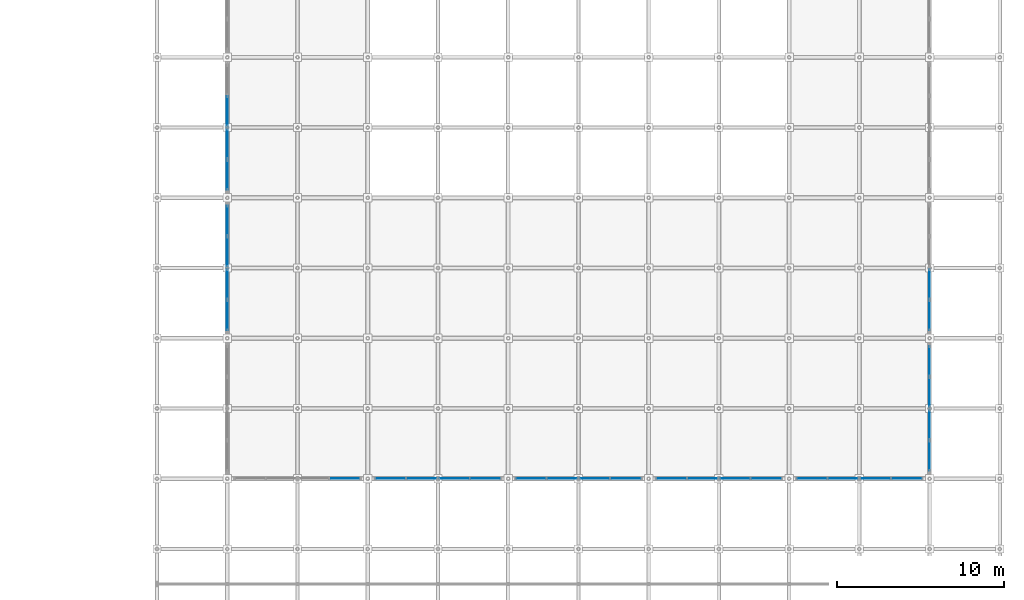
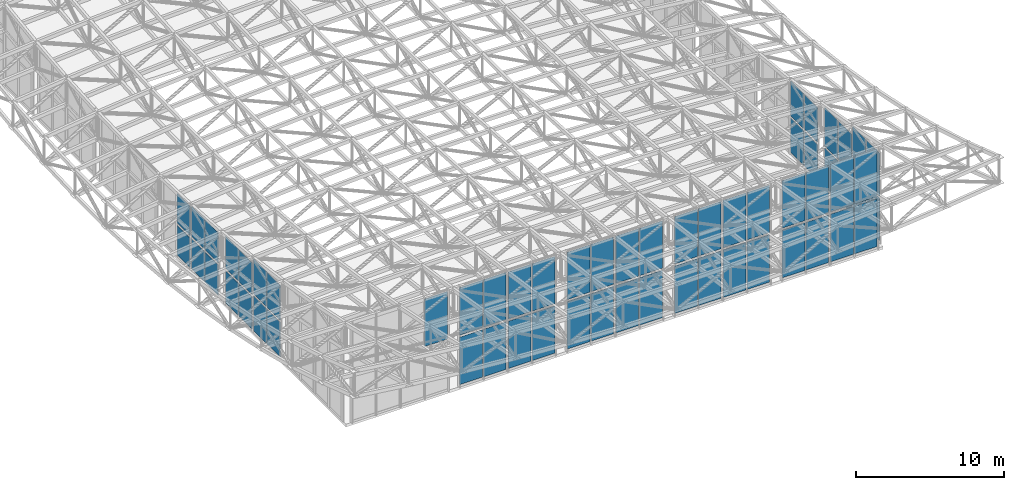
# One storey, part 69 of 123: 59 plates, 16 elements without a shape of their own.
"""IFC4 building model written with IfcOpenShell, lengths in metres."""

from ifc_helpers import new_model, si_unit, direction, frame, origin, origin_2d, place, context, subcontext, project, spatial, rectangle, extrude, material, layer, layer_set, type_object, element, aggregate, save


model = new_model("IFC4")

# Units and contexts
model_context = context("Model", 3, precision=1e-05, world=origin(), true_north=direction((0.0, 1.0)))
body_context = subcontext(model_context, "Body", "Model", "MODEL_VIEW")
ifc_project = project(units=[si_unit("LENGTHUNIT", "METRE"), si_unit("AREAUNIT", "SQUARE_METRE"), si_unit("VOLUMEUNIT", "CUBIC_METRE"), si_unit("PLANEANGLEUNIT", "RADIAN"), si_unit("MASSUNIT", "GRAM", prefix="KILO")], contexts=[model_context])

# Site, building, storey
site_placement = place(None, origin())
site = spatial("IfcSite", under=ifc_project, at=site_placement, CompositionType="ELEMENT")
building_placement = place(site_placement, origin())
building = spatial("IfcBuilding", under=site, at=building_placement, Name="Cumbredor Promenade Congress Hotel", CompositionType="ELEMENT")
storey_placement = place(building_placement, frame((0.0, 0.0, 11.760009765625)))
storey = spatial("IfcBuildingStorey", under=building, at=storey_placement, Name="L03", CompositionType="ELEMENT", Elevation=11.760009765625)

# Curtain wall, plate
ifc_material_1 = material(Name="Thermally broken anodized aluminium and low-E glass", Category="aluminium")
curtain_wall_type = type_object("IfcCurtainWallType", Name="Stepped Pavilion Clerestory Curtain Wall CW-06", PredefinedType="NOTDEFINED", material=ifc_material_1)
curtain_wall_1_placement = place(storey_placement, origin())
curtain_wall_1 = element("IfcCurtainWall", 1, at=curtain_wall_1_placement, inside=storey, type_object=curtain_wall_type, Name="Grand Ballroom Pavilion S Glazed Clerestory 2", PredefinedType="NOTDEFINED")
ifc_material_2 = material(Name="Laminated low-E solar-control glass", Category="glass")
ifc_layer = layer(ifc_material_2, 0.031982421875, Name="Laminated low-E solar-control glass", Category="glass")
ifc_layer_set = layer_set([ifc_layer], Name="Laminated low-E solar-control glass")
plate_type = type_object("IfcPlateType", Name="Clerestory Glazed Vision Panel PNL-07", PredefinedType="CURTAIN_PANEL", material=ifc_layer_set)
plate_1_placement = place(storey_placement, frame((149.830078125, 8.39990234375, 4.280029296875), z_axis=(0.0, 0.0, 1.0), x_axis=(1.0, 0.0, 0.0)))
plate_1 = element("IfcPlate", 2, at=plate_1_placement, type_object=plate_type, Name="Grand Ballroom Pavilion S Glazed Clerestory 2 Glazing Panel 2.2", PredefinedType="CURTAIN_PANEL", context=body_context, shape_type="SweptSolid", body=[
    extrude(rectangle(XDim=1.77490234375, YDim=0.031982421875, at=origin_2d()), origin(), (0.0, 0.0, 1.0), 3.919921875),
])
aggregate(curtain_wall_1, [plate_1])

# Curtain wall, plates
curtain_wall_2_placement = place(storey_placement, origin())
curtain_wall_2 = element("IfcCurtainWall", 3, at=curtain_wall_2_placement, inside=storey, type_object=curtain_wall_type, Name="Grand Ballroom Pavilion S Glazed Clerestory 3", PredefinedType="NOTDEFINED")
plate_2_placement = place(storey_placement, frame((152.570068359375, 8.39990234375, 0.169921875), z_axis=(0.0, 0.0, 1.0), x_axis=(1.0, 0.0, 0.0)))
plate_2 = element("IfcPlate", 4, at=plate_2_placement, type_object=plate_type, Name="Grand Ballroom Pavilion S Glazed Clerestory 3 Glazing Panel 1.1", PredefinedType="CURTAIN_PANEL", context=body_context, shape_type="SweptSolid", body=[
    extrude(rectangle(XDim=1.77490234375, YDim=0.031982421875, at=origin_2d()), origin(), (0.0, 0.0, 1.0), 3.919921875),
])
plate_3_placement = place(storey_placement, frame((152.570068359375, 8.39990234375, 4.27001953125), z_axis=(0.0, 0.0, 1.0), x_axis=(1.0, 0.0, 0.0)))
plate_3 = element("IfcPlate", 5, at=plate_3_placement, type_object=plate_type, Name="Grand Ballroom Pavilion S Glazed Clerestory 3 Glazing Panel 1.2", PredefinedType="CURTAIN_PANEL", context=body_context, shape_type="SweptSolid", body=[
    extrude(rectangle(XDim=1.77490234375, YDim=0.031982421875, at=origin_2d()), origin(), (0.0, 0.0, 1.0), 3.909912109375),
])
plate_4_placement = place(storey_placement, frame((154.429931640625, 8.39990234375, 0.169921875), z_axis=(0.0, 0.0, 1.0), x_axis=(1.0, 0.0, 0.0)))
plate_4 = element("IfcPlate", 6, at=plate_4_placement, type_object=plate_type, Name="Grand Ballroom Pavilion S Glazed Clerestory 3 Glazing Panel 2.1", PredefinedType="CURTAIN_PANEL", context=body_context, shape_type="SweptSolid", body=[
    extrude(rectangle(XDim=1.77490234375, YDim=0.031982421875, at=origin_2d()), origin(), (0.0, 0.0, 1.0), 3.919921875),
])
plate_5_placement = place(storey_placement, frame((154.429931640625, 8.39990234375, 4.27001953125), z_axis=(0.0, 0.0, 1.0), x_axis=(1.0, 0.0, 0.0)))
plate_5 = element("IfcPlate", 7, at=plate_5_placement, type_object=plate_type, Name="Grand Ballroom Pavilion S Glazed Clerestory 3 Glazing Panel 2.2", PredefinedType="CURTAIN_PANEL", context=body_context, shape_type="SweptSolid", body=[
    extrude(rectangle(XDim=1.77490234375, YDim=0.031982421875, at=origin_2d()), origin(), (0.0, 0.0, 1.0), 3.909912109375),
])
aggregate(curtain_wall_2, [plate_2, plate_3, plate_4, plate_5])

curtain_wall_3_placement = place(storey_placement, origin())
curtain_wall_3 = element("IfcCurtainWall", 8, at=curtain_wall_3_placement, inside=storey, type_object=curtain_wall_type, Name="Grand Ballroom Pavilion S Glazed Clerestory 4", PredefinedType="NOTDEFINED")
plate_6_placement = place(storey_placement, frame((156.3701171875, 8.39990234375, 0.169921875), z_axis=(0.0, 0.0, 1.0), x_axis=(1.0, 0.0, 0.0)))
plate_6 = element("IfcPlate", 9, at=plate_6_placement, type_object=plate_type, Name="Grand Ballroom Pavilion S Glazed Clerestory 4 Glazing Panel 1.1", PredefinedType="CURTAIN_PANEL", context=body_context, shape_type="SweptSolid", body=[
    extrude(rectangle(XDim=1.77490234375, YDim=0.031982421875, at=origin_2d()), origin(), (0.0, 0.0, 1.0), 3.909912109375),
])
plate_7_placement = place(storey_placement, frame((156.3701171875, 8.39990234375, 4.260009765625), z_axis=(0.0, 0.0, 1.0), x_axis=(1.0, 0.0, 0.0)))
plate_7 = element("IfcPlate", 10, at=plate_7_placement, type_object=plate_type, Name="Grand Ballroom Pavilion S Glazed Clerestory 4 Glazing Panel 1.2", PredefinedType="CURTAIN_PANEL", context=body_context, shape_type="SweptSolid", body=[
    extrude(rectangle(XDim=1.77490234375, YDim=0.031982421875, at=origin_2d()), origin(), (0.0, 0.0, 1.0), 3.89990234375),
])
plate_8_placement = place(storey_placement, frame((158.22998046875, 8.39990234375, 0.169921875), z_axis=(0.0, 0.0, 1.0), x_axis=(1.0, 0.0, 0.0)))
plate_8 = element("IfcPlate", 11, at=plate_8_placement, type_object=plate_type, Name="Grand Ballroom Pavilion S Glazed Clerestory 4 Glazing Panel 2.1", PredefinedType="CURTAIN_PANEL", context=body_context, shape_type="SweptSolid", body=[
    extrude(rectangle(XDim=1.77490234375, YDim=0.031982421875, at=origin_2d()), origin(), (0.0, 0.0, 1.0), 3.909912109375),
])
plate_9_placement = place(storey_placement, frame((158.22998046875, 8.39990234375, 4.260009765625), z_axis=(0.0, 0.0, 1.0), x_axis=(1.0, 0.0, 0.0)))
plate_9 = element("IfcPlate", 12, at=plate_9_placement, type_object=plate_type, Name="Grand Ballroom Pavilion S Glazed Clerestory 4 Glazing Panel 2.2", PredefinedType="CURTAIN_PANEL", context=body_context, shape_type="SweptSolid", body=[
    extrude(rectangle(XDim=1.77490234375, YDim=0.031982421875, at=origin_2d()), origin(), (0.0, 0.0, 1.0), 3.89990234375),
])
aggregate(curtain_wall_3, [plate_6, plate_7, plate_8, plate_9])

curtain_wall_4_placement = place(storey_placement, origin())
curtain_wall_4 = element("IfcCurtainWall", 13, at=curtain_wall_4_placement, inside=storey, type_object=curtain_wall_type, Name="Grand Ballroom Pavilion S Glazed Clerestory 5", PredefinedType="NOTDEFINED")
plate_10_placement = place(storey_placement, frame((160.969970703125, 8.39990234375, 0.169921875), z_axis=(0.0, 0.0, 1.0), x_axis=(1.0, 0.0, 0.0)))
plate_10 = element("IfcPlate", 14, at=plate_10_placement, type_object=plate_type, Name="Grand Ballroom Pavilion S Glazed Clerestory 5 Glazing Panel 1.1", PredefinedType="CURTAIN_PANEL", context=body_context, shape_type="SweptSolid", body=[
    extrude(rectangle(XDim=1.77490234375, YDim=0.031982421875, at=origin_2d()), origin(), (0.0, 0.0, 1.0), 3.909912109375),
])
plate_11_placement = place(storey_placement, frame((160.969970703125, 8.39990234375, 4.260009765625), z_axis=(0.0, 0.0, 1.0), x_axis=(1.0, 0.0, 0.0)))
plate_11 = element("IfcPlate", 15, at=plate_11_placement, type_object=plate_type, Name="Grand Ballroom Pavilion S Glazed Clerestory 5 Glazing Panel 1.2", PredefinedType="CURTAIN_PANEL", context=body_context, shape_type="SweptSolid", body=[
    extrude(rectangle(XDim=1.77490234375, YDim=0.031982421875, at=origin_2d()), origin(), (0.0, 0.0, 1.0), 3.89990234375),
])
plate_12_placement = place(storey_placement, frame((162.830078125, 8.39990234375, 0.169921875), z_axis=(0.0, 0.0, 1.0), x_axis=(1.0, 0.0, 0.0)))
plate_12 = element("IfcPlate", 16, at=plate_12_placement, type_object=plate_type, Name="Grand Ballroom Pavilion S Glazed Clerestory 5 Glazing Panel 2.1", PredefinedType="CURTAIN_PANEL", context=body_context, shape_type="SweptSolid", body=[
    extrude(rectangle(XDim=1.77490234375, YDim=0.031982421875, at=origin_2d()), origin(), (0.0, 0.0, 1.0), 3.909912109375),
])
plate_13_placement = place(storey_placement, frame((162.830078125, 8.39990234375, 4.260009765625), z_axis=(0.0, 0.0, 1.0), x_axis=(1.0, 0.0, 0.0)))
plate_13 = element("IfcPlate", 17, at=plate_13_placement, type_object=plate_type, Name="Grand Ballroom Pavilion S Glazed Clerestory 5 Glazing Panel 2.2", PredefinedType="CURTAIN_PANEL", context=body_context, shape_type="SweptSolid", body=[
    extrude(rectangle(XDim=1.77490234375, YDim=0.031982421875, at=origin_2d()), origin(), (0.0, 0.0, 1.0), 3.89990234375),
])
aggregate(curtain_wall_4, [plate_10, plate_11, plate_12, plate_13])

curtain_wall_5_placement = place(storey_placement, origin())
curtain_wall_5 = element("IfcCurtainWall", 18, at=curtain_wall_5_placement, inside=storey, type_object=curtain_wall_type, Name="Grand Ballroom Pavilion S Glazed Clerestory 6", PredefinedType="NOTDEFINED")
plate_14_placement = place(storey_placement, frame((164.77001953125, 8.39990234375, 0.169921875), z_axis=(0.0, 0.0, 1.0), x_axis=(1.0, 0.0, 0.0)))
plate_14 = element("IfcPlate", 19, at=plate_14_placement, type_object=plate_type, Name="Grand Ballroom Pavilion S Glazed Clerestory 6 Glazing Panel 1.1", PredefinedType="CURTAIN_PANEL", context=body_context, shape_type="SweptSolid", body=[
    extrude(rectangle(XDim=1.77490234375, YDim=0.031982421875, at=origin_2d()), origin(), (0.0, 0.0, 1.0), 3.909912109375),
])
plate_15_placement = place(storey_placement, frame((164.77001953125, 8.39990234375, 4.260009765625), z_axis=(0.0, 0.0, 1.0), x_axis=(1.0, 0.0, 0.0)))
plate_15 = element("IfcPlate", 20, at=plate_15_placement, type_object=plate_type, Name="Grand Ballroom Pavilion S Glazed Clerestory 6 Glazing Panel 1.2", PredefinedType="CURTAIN_PANEL", context=body_context, shape_type="SweptSolid", body=[
    extrude(rectangle(XDim=1.77490234375, YDim=0.031982421875, at=origin_2d()), origin(), (0.0, 0.0, 1.0), 3.89990234375),
])
plate_16_placement = place(storey_placement, frame((166.6298828125, 8.39990234375, 0.169921875), z_axis=(0.0, 0.0, 1.0), x_axis=(1.0, 0.0, 0.0)))
plate_16 = element("IfcPlate", 21, at=plate_16_placement, type_object=plate_type, Name="Grand Ballroom Pavilion S Glazed Clerestory 6 Glazing Panel 2.1", PredefinedType="CURTAIN_PANEL", context=body_context, shape_type="SweptSolid", body=[
    extrude(rectangle(XDim=1.77490234375, YDim=0.031982421875, at=origin_2d()), origin(), (0.0, 0.0, 1.0), 3.909912109375),
])
plate_17_placement = place(storey_placement, frame((166.6298828125, 8.39990234375, 4.260009765625), z_axis=(0.0, 0.0, 1.0), x_axis=(1.0, 0.0, 0.0)))
plate_17 = element("IfcPlate", 22, at=plate_17_placement, type_object=plate_type, Name="Grand Ballroom Pavilion S Glazed Clerestory 6 Glazing Panel 2.2", PredefinedType="CURTAIN_PANEL", context=body_context, shape_type="SweptSolid", body=[
    extrude(rectangle(XDim=1.77490234375, YDim=0.031982421875, at=origin_2d()), origin(), (0.0, 0.0, 1.0), 3.89990234375),
])
aggregate(curtain_wall_5, [plate_14, plate_15, plate_16, plate_17])

curtain_wall_6_placement = place(storey_placement, origin())
curtain_wall_6 = element("IfcCurtainWall", 23, at=curtain_wall_6_placement, inside=storey, type_object=curtain_wall_type, Name="Grand Ballroom Pavilion S Glazed Clerestory 7", PredefinedType="NOTDEFINED")
plate_18_placement = place(storey_placement, frame((169.3701171875, 8.39990234375, 0.169921875), z_axis=(0.0, 0.0, 1.0), x_axis=(1.0, 0.0, 0.0)))
plate_18 = element("IfcPlate", 24, at=plate_18_placement, type_object=plate_type, Name="Grand Ballroom Pavilion S Glazed Clerestory 7 Glazing Panel 1.1", PredefinedType="CURTAIN_PANEL", context=body_context, shape_type="SweptSolid", body=[
    extrude(rectangle(XDim=1.77490234375, YDim=0.031982421875, at=origin_2d()), origin(), (0.0, 0.0, 1.0), 3.909912109375),
])
plate_19_placement = place(storey_placement, frame((169.3701171875, 8.39990234375, 4.260009765625), z_axis=(0.0, 0.0, 1.0), x_axis=(1.0, 0.0, 0.0)))
plate_19 = element("IfcPlate", 25, at=plate_19_placement, type_object=plate_type, Name="Grand Ballroom Pavilion S Glazed Clerestory 7 Glazing Panel 1.2", PredefinedType="CURTAIN_PANEL", context=body_context, shape_type="SweptSolid", body=[
    extrude(rectangle(XDim=1.77490234375, YDim=0.031982421875, at=origin_2d()), origin(), (0.0, 0.0, 1.0), 3.89990234375),
])
plate_20_placement = place(storey_placement, frame((171.22998046875, 8.39990234375, 0.169921875), z_axis=(0.0, 0.0, 1.0), x_axis=(1.0, 0.0, 0.0)))
plate_20 = element("IfcPlate", 26, at=plate_20_placement, type_object=plate_type, Name="Grand Ballroom Pavilion S Glazed Clerestory 7 Glazing Panel 2.1", PredefinedType="CURTAIN_PANEL", context=body_context, shape_type="SweptSolid", body=[
    extrude(rectangle(XDim=1.77490234375, YDim=0.031982421875, at=origin_2d()), origin(), (0.0, 0.0, 1.0), 3.909912109375),
])
plate_21_placement = place(storey_placement, frame((171.22998046875, 8.39990234375, 4.260009765625), z_axis=(0.0, 0.0, 1.0), x_axis=(1.0, 0.0, 0.0)))
plate_21 = element("IfcPlate", 27, at=plate_21_placement, type_object=plate_type, Name="Grand Ballroom Pavilion S Glazed Clerestory 7 Glazing Panel 2.2", PredefinedType="CURTAIN_PANEL", context=body_context, shape_type="SweptSolid", body=[
    extrude(rectangle(XDim=1.77490234375, YDim=0.031982421875, at=origin_2d()), origin(), (0.0, 0.0, 1.0), 3.89990234375),
])
aggregate(curtain_wall_6, [plate_18, plate_19, plate_20, plate_21])

curtain_wall_7_placement = place(storey_placement, origin())
curtain_wall_7 = element("IfcCurtainWall", 28, at=curtain_wall_7_placement, inside=storey, type_object=curtain_wall_type, Name="Grand Ballroom Pavilion S Glazed Clerestory 8", PredefinedType="NOTDEFINED")
plate_22_placement = place(storey_placement, frame((173.169921875, 8.39990234375, 0.169921875), z_axis=(0.0, 0.0, 1.0), x_axis=(1.0, 0.0, 0.0)))
plate_22 = element("IfcPlate", 29, at=plate_22_placement, type_object=plate_type, Name="Grand Ballroom Pavilion S Glazed Clerestory 8 Glazing Panel 1.1", PredefinedType="CURTAIN_PANEL", context=body_context, shape_type="SweptSolid", body=[
    extrude(rectangle(XDim=1.77490234375, YDim=0.031982421875, at=origin_2d()), origin(), (0.0, 0.0, 1.0), 3.919921875),
])
plate_23_placement = place(storey_placement, frame((173.169921875, 8.39990234375, 4.27001953125), z_axis=(0.0, 0.0, 1.0), x_axis=(1.0, 0.0, 0.0)))
plate_23 = element("IfcPlate", 30, at=plate_23_placement, type_object=plate_type, Name="Grand Ballroom Pavilion S Glazed Clerestory 8 Glazing Panel 1.2", PredefinedType="CURTAIN_PANEL", context=body_context, shape_type="SweptSolid", body=[
    extrude(rectangle(XDim=1.77490234375, YDim=0.031982421875, at=origin_2d()), origin(), (0.0, 0.0, 1.0), 3.909912109375),
])
plate_24_placement = place(storey_placement, frame((175.030029296875, 8.39990234375, 0.169921875), z_axis=(0.0, 0.0, 1.0), x_axis=(1.0, 0.0, 0.0)))
plate_24 = element("IfcPlate", 31, at=plate_24_placement, type_object=plate_type, Name="Grand Ballroom Pavilion S Glazed Clerestory 8 Glazing Panel 2.1", PredefinedType="CURTAIN_PANEL", context=body_context, shape_type="SweptSolid", body=[
    extrude(rectangle(XDim=1.77490234375, YDim=0.031982421875, at=origin_2d()), origin(), (0.0, 0.0, 1.0), 3.919921875),
])
plate_25_placement = place(storey_placement, frame((175.030029296875, 8.39990234375, 4.27001953125), z_axis=(0.0, 0.0, 1.0), x_axis=(1.0, 0.0, 0.0)))
plate_25 = element("IfcPlate", 32, at=plate_25_placement, type_object=plate_type, Name="Grand Ballroom Pavilion S Glazed Clerestory 8 Glazing Panel 2.2", PredefinedType="CURTAIN_PANEL", context=body_context, shape_type="SweptSolid", body=[
    extrude(rectangle(XDim=1.77490234375, YDim=0.031982421875, at=origin_2d()), origin(), (0.0, 0.0, 1.0), 3.909912109375),
])
aggregate(curtain_wall_7, [plate_22, plate_23, plate_24, plate_25])

curtain_wall_8_placement = place(storey_placement, origin())
curtain_wall_8 = element("IfcCurtainWall", 33, at=curtain_wall_8_placement, inside=storey, type_object=curtain_wall_type, Name="Grand Ballroom Pavilion S Glazed Clerestory 9", PredefinedType="NOTDEFINED")
plate_26_placement = place(storey_placement, frame((177.77001953125, 8.39990234375, 0.169921875), z_axis=(0.0, 0.0, 1.0), x_axis=(1.0, 0.0, 0.0)))
plate_26 = element("IfcPlate", 34, at=plate_26_placement, type_object=plate_type, Name="Grand Ballroom Pavilion S Glazed Clerestory 9 Glazing Panel 1.1", PredefinedType="CURTAIN_PANEL", context=body_context, shape_type="SweptSolid", body=[
    extrude(rectangle(XDim=1.77490234375, YDim=0.031982421875, at=origin_2d()), origin(), (0.0, 0.0, 1.0), 3.929931640625),
])
plate_27_placement = place(storey_placement, frame((177.77001953125, 8.39990234375, 4.280029296875), z_axis=(0.0, 0.0, 1.0), x_axis=(1.0, 0.0, 0.0)))
plate_27 = element("IfcPlate", 35, at=plate_27_placement, type_object=plate_type, Name="Grand Ballroom Pavilion S Glazed Clerestory 9 Glazing Panel 1.2", PredefinedType="CURTAIN_PANEL", context=body_context, shape_type="SweptSolid", body=[
    extrude(rectangle(XDim=1.77490234375, YDim=0.031982421875, at=origin_2d()), origin(), (0.0, 0.0, 1.0), 3.919921875),
])
plate_28_placement = place(storey_placement, frame((179.6298828125, 8.39990234375, 0.169921875), z_axis=(0.0, 0.0, 1.0), x_axis=(1.0, 0.0, 0.0)))
plate_28 = element("IfcPlate", 36, at=plate_28_placement, type_object=plate_type, Name="Grand Ballroom Pavilion S Glazed Clerestory 9 Glazing Panel 2.1", PredefinedType="CURTAIN_PANEL", context=body_context, shape_type="SweptSolid", body=[
    extrude(rectangle(XDim=1.77490234375, YDim=0.031982421875, at=origin_2d()), origin(), (0.0, 0.0, 1.0), 3.929931640625),
])
plate_29_placement = place(storey_placement, frame((179.6298828125, 8.39990234375, 4.280029296875), z_axis=(0.0, 0.0, 1.0), x_axis=(1.0, 0.0, 0.0)))
plate_29 = element("IfcPlate", 37, at=plate_29_placement, type_object=plate_type, Name="Grand Ballroom Pavilion S Glazed Clerestory 9 Glazing Panel 2.2", PredefinedType="CURTAIN_PANEL", context=body_context, shape_type="SweptSolid", body=[
    extrude(rectangle(XDim=1.77490234375, YDim=0.031982421875, at=origin_2d()), origin(), (0.0, 0.0, 1.0), 3.919921875),
])
aggregate(curtain_wall_8, [plate_26, plate_27, plate_28, plate_29])

curtain_wall_9_placement = place(storey_placement, origin())
curtain_wall_9 = element("IfcCurtainWall", 38, at=curtain_wall_9_placement, inside=storey, type_object=curtain_wall_type, Name="Grand Ballroom Pavilion S Glazed Clerestory 10", PredefinedType="NOTDEFINED")
plate_30_placement = place(storey_placement, frame((181.570068359375, 8.39990234375, 0.169921875), z_axis=(0.0, 0.0, 1.0), x_axis=(1.0, 0.0, 0.0)))
plate_30 = element("IfcPlate", 39, at=plate_30_placement, type_object=plate_type, Name="Grand Ballroom Pavilion S Glazed Clerestory 10 Glazing Panel 1.1", PredefinedType="CURTAIN_PANEL", context=body_context, shape_type="SweptSolid", body=[
    extrude(rectangle(XDim=1.77490234375, YDim=0.031982421875, at=origin_2d()), origin(), (0.0, 0.0, 1.0), 3.93994140625),
])
plate_31_placement = place(storey_placement, frame((181.570068359375, 8.39990234375, 4.2900390625), z_axis=(0.0, 0.0, 1.0), x_axis=(1.0, 0.0, 0.0)))
plate_31 = element("IfcPlate", 40, at=plate_31_placement, type_object=plate_type, Name="Grand Ballroom Pavilion S Glazed Clerestory 10 Glazing Panel 1.2", PredefinedType="CURTAIN_PANEL", context=body_context, shape_type="SweptSolid", body=[
    extrude(rectangle(XDim=1.77490234375, YDim=0.031982421875, at=origin_2d()), origin(), (0.0, 0.0, 1.0), 3.949951171875),
])
plate_32_placement = place(storey_placement, frame((183.429931640625, 8.39990234375, 0.169921875), z_axis=(0.0, 0.0, 1.0), x_axis=(1.0, 0.0, 0.0)))
plate_32 = element("IfcPlate", 41, at=plate_32_placement, type_object=plate_type, Name="Grand Ballroom Pavilion S Glazed Clerestory 10 Glazing Panel 2.1", PredefinedType="CURTAIN_PANEL", context=body_context, shape_type="SweptSolid", body=[
    extrude(rectangle(XDim=1.77490234375, YDim=0.031982421875, at=origin_2d()), origin(), (0.0, 0.0, 1.0), 3.93994140625),
])
plate_33_placement = place(storey_placement, frame((183.429931640625, 8.39990234375, 4.2900390625), z_axis=(0.0, 0.0, 1.0), x_axis=(1.0, 0.0, 0.0)))
plate_33 = element("IfcPlate", 42, at=plate_33_placement, type_object=plate_type, Name="Grand Ballroom Pavilion S Glazed Clerestory 10 Glazing Panel 2.2", PredefinedType="CURTAIN_PANEL", context=body_context, shape_type="SweptSolid", body=[
    extrude(rectangle(XDim=1.77490234375, YDim=0.031982421875, at=origin_2d()), origin(), (0.0, 0.0, 1.0), 3.949951171875),
])
aggregate(curtain_wall_9, [plate_30, plate_31, plate_32, plate_33])

curtain_wall_10_placement = place(storey_placement, origin())
curtain_wall_10 = element("IfcCurtainWall", 43, at=curtain_wall_10_placement, inside=storey, type_object=curtain_wall_type, Name="Grand Ballroom Pavilion W Glazed Clerestory 3", PredefinedType="NOTDEFINED")
plate_34_placement = place(storey_placement, frame((142.800048828125, 18.169921875, 0.169921875), z_axis=(0.0, 0.0, 1.0), x_axis=(0.0, 1.0, 0.0)))
plate_34 = element("IfcPlate", 44, at=plate_34_placement, type_object=plate_type, Name="Grand Ballroom Pavilion W Glazed Clerestory 3 Glazing Panel 1.1", PredefinedType="CURTAIN_PANEL", context=body_context, shape_type="SweptSolid", body=[
    extrude(rectangle(XDim=1.77490234375, YDim=0.031982421875, at=origin_2d()), origin(), (0.0, 0.0, 1.0), 2.8701171875),
])
plate_35_placement = place(storey_placement, frame((142.800048828125, 18.169921875, 3.219970703125), z_axis=(0.0, 0.0, 1.0), x_axis=(0.0, 1.0, 0.0)))
plate_35 = element("IfcPlate", 45, at=plate_35_placement, type_object=plate_type, Name="Grand Ballroom Pavilion W Glazed Clerestory 3 Glazing Panel 1.2", PredefinedType="CURTAIN_PANEL", context=body_context, shape_type="SweptSolid", body=[
    extrude(rectangle(XDim=1.77490234375, YDim=0.031982421875, at=origin_2d()), origin(), (0.0, 0.0, 1.0), 2.8701171875),
])
plate_36_placement = place(storey_placement, frame((142.800048828125, 20.030029296875, 0.169921875), z_axis=(0.0, 0.0, 1.0), x_axis=(0.0, 1.0, 0.0)))
plate_36 = element("IfcPlate", 46, at=plate_36_placement, type_object=plate_type, Name="Grand Ballroom Pavilion W Glazed Clerestory 3 Glazing Panel 2.1", PredefinedType="CURTAIN_PANEL", context=body_context, shape_type="SweptSolid", body=[
    extrude(rectangle(XDim=1.77490234375, YDim=0.031982421875, at=origin_2d()), origin(), (0.0, 0.0, 1.0), 2.8701171875),
])
plate_37_placement = place(storey_placement, frame((142.800048828125, 20.030029296875, 3.219970703125), z_axis=(0.0, 0.0, 1.0), x_axis=(0.0, 1.0, 0.0)))
plate_37 = element("IfcPlate", 47, at=plate_37_placement, type_object=plate_type, Name="Grand Ballroom Pavilion W Glazed Clerestory 3 Glazing Panel 2.2", PredefinedType="CURTAIN_PANEL", context=body_context, shape_type="SweptSolid", body=[
    extrude(rectangle(XDim=1.77490234375, YDim=0.031982421875, at=origin_2d()), origin(), (0.0, 0.0, 1.0), 2.8701171875),
])
aggregate(curtain_wall_10, [plate_34, plate_35, plate_36, plate_37])

curtain_wall_11_placement = place(storey_placement, origin())
curtain_wall_11 = element("IfcCurtainWall", 48, at=curtain_wall_11_placement, inside=storey, type_object=curtain_wall_type, Name="Grand Ballroom Pavilion W Glazed Clerestory 4", PredefinedType="NOTDEFINED")
plate_38_placement = place(storey_placement, frame((142.800048828125, 21.969970703125, 0.169921875), z_axis=(0.0, 0.0, 1.0), x_axis=(0.0, 1.0, 0.0)))
plate_38 = element("IfcPlate", 49, at=plate_38_placement, type_object=plate_type, Name="Grand Ballroom Pavilion W Glazed Clerestory 4 Glazing Panel 1.1", PredefinedType="CURTAIN_PANEL", context=body_context, shape_type="SweptSolid", body=[
    extrude(rectangle(XDim=1.77490234375, YDim=0.031982421875, at=origin_2d()), origin(), (0.0, 0.0, 1.0), 2.659912109375),
])
plate_39_placement = place(storey_placement, frame((142.800048828125, 21.969970703125, 3.010009765625), z_axis=(0.0, 0.0, 1.0), x_axis=(0.0, 1.0, 0.0)))
plate_39 = element("IfcPlate", 50, at=plate_39_placement, type_object=plate_type, Name="Grand Ballroom Pavilion W Glazed Clerestory 4 Glazing Panel 1.2", PredefinedType="CURTAIN_PANEL", context=body_context, shape_type="SweptSolid", body=[
    extrude(rectangle(XDim=1.77490234375, YDim=0.031982421875, at=origin_2d()), origin(), (0.0, 0.0, 1.0), 2.64990234375),
])
plate_40_placement = place(storey_placement, frame((142.800048828125, 23.830078125, 0.169921875), z_axis=(0.0, 0.0, 1.0), x_axis=(0.0, 1.0, 0.0)))
plate_40 = element("IfcPlate", 51, at=plate_40_placement, type_object=plate_type, Name="Grand Ballroom Pavilion W Glazed Clerestory 4 Glazing Panel 2.1", PredefinedType="CURTAIN_PANEL", context=body_context, shape_type="SweptSolid", body=[
    extrude(rectangle(XDim=1.77490234375, YDim=0.031982421875, at=origin_2d()), origin(), (0.0, 0.0, 1.0), 2.659912109375),
])
plate_41_placement = place(storey_placement, frame((142.800048828125, 23.830078125, 3.010009765625), z_axis=(0.0, 0.0, 1.0), x_axis=(0.0, 1.0, 0.0)))
plate_41 = element("IfcPlate", 52, at=plate_41_placement, type_object=plate_type, Name="Grand Ballroom Pavilion W Glazed Clerestory 4 Glazing Panel 2.2", PredefinedType="CURTAIN_PANEL", context=body_context, shape_type="SweptSolid", body=[
    extrude(rectangle(XDim=1.77490234375, YDim=0.031982421875, at=origin_2d()), origin(), (0.0, 0.0, 1.0), 2.64990234375),
])
aggregate(curtain_wall_11, [plate_38, plate_39, plate_40, plate_41])

curtain_wall_12_placement = place(storey_placement, origin())
curtain_wall_12 = element("IfcCurtainWall", 53, at=curtain_wall_12_placement, inside=storey, type_object=curtain_wall_type, Name="Grand Ballroom Pavilion W Glazed Clerestory 5", PredefinedType="NOTDEFINED")
plate_42_placement = place(storey_placement, frame((142.800048828125, 26.570068359375, 0.169921875), z_axis=(0.0, 0.0, 1.0), x_axis=(0.0, 1.0, 0.0)))
plate_42 = element("IfcPlate", 54, at=plate_42_placement, type_object=plate_type, Name="Grand Ballroom Pavilion W Glazed Clerestory 5 Glazing Panel 1.1", PredefinedType="CURTAIN_PANEL", context=body_context, shape_type="SweptSolid", body=[
    extrude(rectangle(XDim=1.77490234375, YDim=0.031982421875, at=origin_2d()), origin(), (0.0, 0.0, 1.0), 2.510009765625),
])
plate_43_placement = place(storey_placement, frame((142.800048828125, 26.570068359375, 2.860107421875), z_axis=(0.0, 0.0, 1.0), x_axis=(0.0, 1.0, 0.0)))
plate_43 = element("IfcPlate", 55, at=plate_43_placement, type_object=plate_type, Name="Grand Ballroom Pavilion W Glazed Clerestory 5 Glazing Panel 1.2", PredefinedType="CURTAIN_PANEL", context=body_context, shape_type="SweptSolid", body=[
    extrude(rectangle(XDim=1.77490234375, YDim=0.031982421875, at=origin_2d()), origin(), (0.0, 0.0, 1.0), 2.5),
])
plate_44_placement = place(storey_placement, frame((142.800048828125, 28.429931640625, 0.169921875), z_axis=(0.0, 0.0, 1.0), x_axis=(0.0, 1.0, 0.0)))
plate_44 = element("IfcPlate", 56, at=plate_44_placement, type_object=plate_type, Name="Grand Ballroom Pavilion W Glazed Clerestory 5 Glazing Panel 2.1", PredefinedType="CURTAIN_PANEL", context=body_context, shape_type="SweptSolid", body=[
    extrude(rectangle(XDim=1.77490234375, YDim=0.031982421875, at=origin_2d()), origin(), (0.0, 0.0, 1.0), 2.510009765625),
])
plate_45_placement = place(storey_placement, frame((142.800048828125, 28.429931640625, 2.860107421875), z_axis=(0.0, 0.0, 1.0), x_axis=(0.0, 1.0, 0.0)))
plate_45 = element("IfcPlate", 57, at=plate_45_placement, type_object=plate_type, Name="Grand Ballroom Pavilion W Glazed Clerestory 5 Glazing Panel 2.2", PredefinedType="CURTAIN_PANEL", context=body_context, shape_type="SweptSolid", body=[
    extrude(rectangle(XDim=1.77490234375, YDim=0.031982421875, at=origin_2d()), origin(), (0.0, 0.0, 1.0), 2.5),
])
aggregate(curtain_wall_12, [plate_42, plate_43, plate_44, plate_45])

curtain_wall_13_placement = place(storey_placement, origin())
curtain_wall_13 = element("IfcCurtainWall", 58, at=curtain_wall_13_placement, inside=storey, type_object=curtain_wall_type, Name="Grand Ballroom Pavilion W Glazed Clerestory 6", PredefinedType="NOTDEFINED")
plate_46_placement = place(storey_placement, frame((142.800048828125, 30.3701171875, 0.169921875), z_axis=(0.0, 0.0, 1.0), x_axis=(0.0, 1.0, 0.0)))
plate_46 = element("IfcPlate", 59, at=plate_46_placement, type_object=plate_type, Name="Grand Ballroom Pavilion W Glazed Clerestory 6 Glazing Panel 1.1", PredefinedType="CURTAIN_PANEL", context=body_context, shape_type="SweptSolid", body=[
    extrude(rectangle(XDim=1.77490234375, YDim=0.031982421875, at=origin_2d()), origin(), (0.0, 0.0, 1.0), 2.43994140625),
])
plate_47_placement = place(storey_placement, frame((142.800048828125, 30.3701171875, 2.7900390625), z_axis=(0.0, 0.0, 1.0), x_axis=(0.0, 1.0, 0.0)))
plate_47 = element("IfcPlate", 60, at=plate_47_placement, type_object=plate_type, Name="Grand Ballroom Pavilion W Glazed Clerestory 6 Glazing Panel 1.2", PredefinedType="CURTAIN_PANEL", context=body_context, shape_type="SweptSolid", body=[
    extrude(rectangle(XDim=1.77490234375, YDim=0.031982421875, at=origin_2d()), origin(), (0.0, 0.0, 1.0), 2.429931640625),
])
aggregate(curtain_wall_13, [plate_46, plate_47])

curtain_wall_14_placement = place(storey_placement, origin())
curtain_wall_14 = element("IfcCurtainWall", 61, at=curtain_wall_14_placement, inside=storey, type_object=curtain_wall_type, Name="Grand Ballroom Pavilion E Glazed Clerestory 1", PredefinedType="NOTDEFINED")
plate_48_placement = place(storey_placement, frame((184.800048828125, 9.77001953125, 0.169921875), z_axis=(0.0, 0.0, 1.0), x_axis=(0.0, 1.0, 0.0)))
plate_48 = element("IfcPlate", 62, at=plate_48_placement, type_object=plate_type, Name="Grand Ballroom Pavilion E Glazed Clerestory 1 Glazing Panel 1.1", PredefinedType="CURTAIN_PANEL", context=body_context, shape_type="SweptSolid", body=[
    extrude(rectangle(XDim=1.77490234375, YDim=0.031982421875, at=origin_2d()), origin(), (0.0, 0.0, 1.0), 3.530029296875),
])
plate_49_placement = place(storey_placement, frame((184.800048828125, 9.77001953125, 3.8798828125), z_axis=(0.0, 0.0, 1.0), x_axis=(0.0, 1.0, 0.0)))
plate_49 = element("IfcPlate", 63, at=plate_49_placement, type_object=plate_type, Name="Grand Ballroom Pavilion E Glazed Clerestory 1 Glazing Panel 1.2", PredefinedType="CURTAIN_PANEL", context=body_context, shape_type="SweptSolid", body=[
    extrude(rectangle(XDim=1.77490234375, YDim=0.031982421875, at=origin_2d()), origin(), (0.0, 0.0, 1.0), 3.530029296875),
])
plate_50_placement = place(storey_placement, frame((184.800048828125, 11.6298828125, 0.169921875), z_axis=(0.0, 0.0, 1.0), x_axis=(0.0, 1.0, 0.0)))
plate_50 = element("IfcPlate", 64, at=plate_50_placement, type_object=plate_type, Name="Grand Ballroom Pavilion E Glazed Clerestory 1 Glazing Panel 2.1", PredefinedType="CURTAIN_PANEL", context=body_context, shape_type="SweptSolid", body=[
    extrude(rectangle(XDim=1.77490234375, YDim=0.031982421875, at=origin_2d()), origin(), (0.0, 0.0, 1.0), 3.530029296875),
])
plate_51_placement = place(storey_placement, frame((184.800048828125, 11.6298828125, 3.8798828125), z_axis=(0.0, 0.0, 1.0), x_axis=(0.0, 1.0, 0.0)))
plate_51 = element("IfcPlate", 65, at=plate_51_placement, type_object=plate_type, Name="Grand Ballroom Pavilion E Glazed Clerestory 1 Glazing Panel 2.2", PredefinedType="CURTAIN_PANEL", context=body_context, shape_type="SweptSolid", body=[
    extrude(rectangle(XDim=1.77490234375, YDim=0.031982421875, at=origin_2d()), origin(), (0.0, 0.0, 1.0), 3.530029296875),
])
aggregate(curtain_wall_14, [plate_48, plate_49, plate_50, plate_51])

curtain_wall_15_placement = place(storey_placement, origin())
curtain_wall_15 = element("IfcCurtainWall", 66, at=curtain_wall_15_placement, inside=storey, type_object=curtain_wall_type, Name="Grand Ballroom Pavilion E Glazed Clerestory 2", PredefinedType="NOTDEFINED")
plate_52_placement = place(storey_placement, frame((184.800048828125, 13.570068359375, 0.169921875), z_axis=(0.0, 0.0, 1.0), x_axis=(0.0, 1.0, 0.0)))
plate_52 = element("IfcPlate", 67, at=plate_52_placement, type_object=plate_type, Name="Grand Ballroom Pavilion E Glazed Clerestory 2 Glazing Panel 1.1", PredefinedType="CURTAIN_PANEL", context=body_context, shape_type="SweptSolid", body=[
    extrude(rectangle(XDim=1.77490234375, YDim=0.031982421875, at=origin_2d()), origin(), (0.0, 0.0, 1.0), 3.169921875),
])
plate_53_placement = place(storey_placement, frame((184.800048828125, 13.570068359375, 3.52001953125), z_axis=(0.0, 0.0, 1.0), x_axis=(0.0, 1.0, 0.0)))
plate_53 = element("IfcPlate", 68, at=plate_53_placement, type_object=plate_type, Name="Grand Ballroom Pavilion E Glazed Clerestory 2 Glazing Panel 1.2", PredefinedType="CURTAIN_PANEL", context=body_context, shape_type="SweptSolid", body=[
    extrude(rectangle(XDim=1.77490234375, YDim=0.031982421875, at=origin_2d()), origin(), (0.0, 0.0, 1.0), 3.159912109375),
])
plate_54_placement = place(storey_placement, frame((184.800048828125, 15.429931640625, 0.169921875), z_axis=(0.0, 0.0, 1.0), x_axis=(0.0, 1.0, 0.0)))
plate_54 = element("IfcPlate", 69, at=plate_54_placement, type_object=plate_type, Name="Grand Ballroom Pavilion E Glazed Clerestory 2 Glazing Panel 2.1", PredefinedType="CURTAIN_PANEL", context=body_context, shape_type="SweptSolid", body=[
    extrude(rectangle(XDim=1.77490234375, YDim=0.031982421875, at=origin_2d()), origin(), (0.0, 0.0, 1.0), 3.169921875),
])
plate_55_placement = place(storey_placement, frame((184.800048828125, 15.429931640625, 3.52001953125), z_axis=(0.0, 0.0, 1.0), x_axis=(0.0, 1.0, 0.0)))
plate_55 = element("IfcPlate", 70, at=plate_55_placement, type_object=plate_type, Name="Grand Ballroom Pavilion E Glazed Clerestory 2 Glazing Panel 2.2", PredefinedType="CURTAIN_PANEL", context=body_context, shape_type="SweptSolid", body=[
    extrude(rectangle(XDim=1.77490234375, YDim=0.031982421875, at=origin_2d()), origin(), (0.0, 0.0, 1.0), 3.159912109375),
])
aggregate(curtain_wall_15, [plate_52, plate_53, plate_54, plate_55])

curtain_wall_16_placement = place(storey_placement, origin())
curtain_wall_16 = element("IfcCurtainWall", 71, at=curtain_wall_16_placement, inside=storey, type_object=curtain_wall_type, Name="Grand Ballroom Pavilion E Glazed Clerestory 3", PredefinedType="NOTDEFINED")
plate_56_placement = place(storey_placement, frame((184.800048828125, 18.169921875, 0.169921875), z_axis=(0.0, 0.0, 1.0), x_axis=(0.0, 1.0, 0.0)))
plate_56 = element("IfcPlate", 72, at=plate_56_placement, type_object=plate_type, Name="Grand Ballroom Pavilion E Glazed Clerestory 3 Glazing Panel 1.1", PredefinedType="CURTAIN_PANEL", context=body_context, shape_type="SweptSolid", body=[
    extrude(rectangle(XDim=1.77490234375, YDim=0.031982421875, at=origin_2d()), origin(), (0.0, 0.0, 1.0), 2.8701171875),
])
plate_57_placement = place(storey_placement, frame((184.800048828125, 18.169921875, 3.219970703125), z_axis=(0.0, 0.0, 1.0), x_axis=(0.0, 1.0, 0.0)))
plate_57 = element("IfcPlate", 73, at=plate_57_placement, type_object=plate_type, Name="Grand Ballroom Pavilion E Glazed Clerestory 3 Glazing Panel 1.2", PredefinedType="CURTAIN_PANEL", context=body_context, shape_type="SweptSolid", body=[
    extrude(rectangle(XDim=1.77490234375, YDim=0.031982421875, at=origin_2d()), origin(), (0.0, 0.0, 1.0), 2.8701171875),
])
plate_58_placement = place(storey_placement, frame((184.800048828125, 20.030029296875, 0.169921875), z_axis=(0.0, 0.0, 1.0), x_axis=(0.0, 1.0, 0.0)))
plate_58 = element("IfcPlate", 74, at=plate_58_placement, type_object=plate_type, Name="Grand Ballroom Pavilion E Glazed Clerestory 3 Glazing Panel 2.1", PredefinedType="CURTAIN_PANEL", context=body_context, shape_type="SweptSolid", body=[
    extrude(rectangle(XDim=1.77490234375, YDim=0.031982421875, at=origin_2d()), origin(), (0.0, 0.0, 1.0), 2.8701171875),
])
plate_59_placement = place(storey_placement, frame((184.800048828125, 20.030029296875, 3.219970703125), z_axis=(0.0, 0.0, 1.0), x_axis=(0.0, 1.0, 0.0)))
plate_59 = element("IfcPlate", 75, at=plate_59_placement, type_object=plate_type, Name="Grand Ballroom Pavilion E Glazed Clerestory 3 Glazing Panel 2.2", PredefinedType="CURTAIN_PANEL", context=body_context, shape_type="SweptSolid", body=[
    extrude(rectangle(XDim=1.77490234375, YDim=0.031982421875, at=origin_2d()), origin(), (0.0, 0.0, 1.0), 2.8701171875),
])
aggregate(curtain_wall_16, [plate_56, plate_57, plate_58, plate_59])

save(model, "model.ifc")
